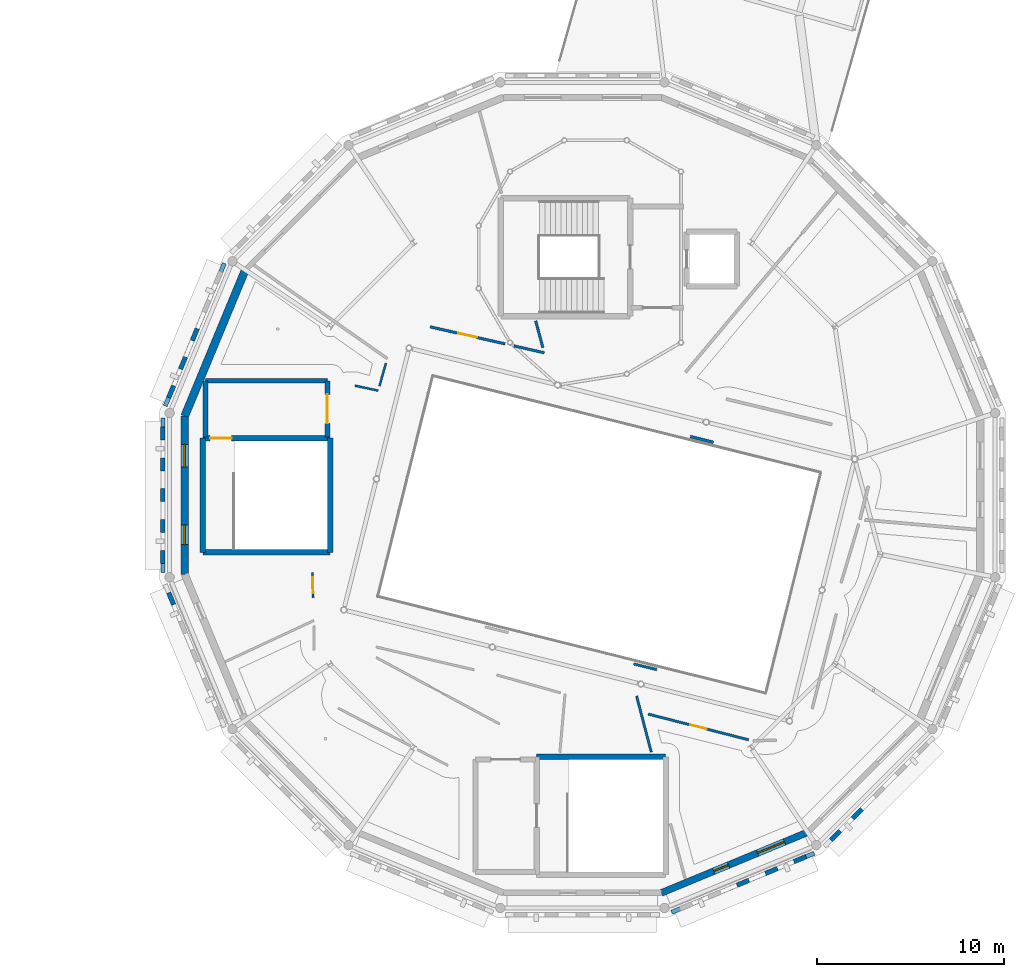
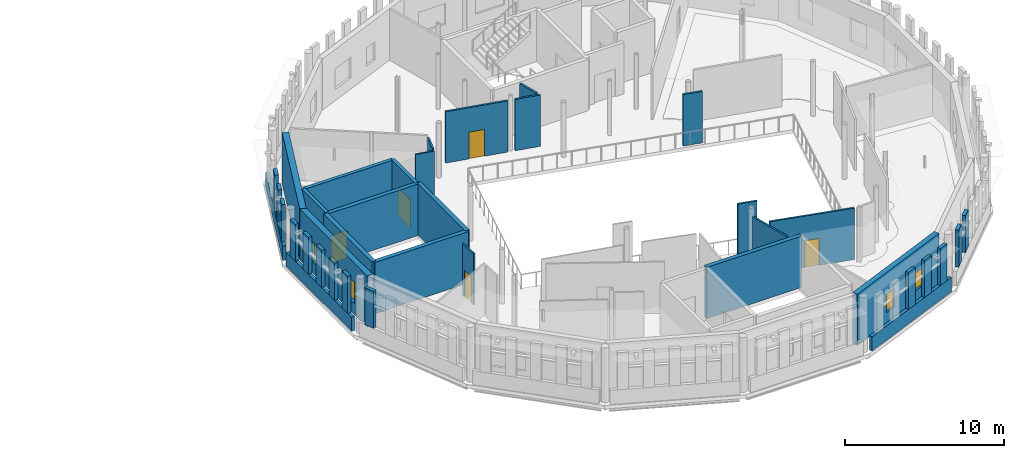
# One storey, part 46 of 68: 38 walls, 5 doors, 4 windows, 9 openings.
"""IFC4 building model written with IfcOpenShell, lengths in metres."""

from ifc_helpers import new_model, si_unit, direction, frame, frame_2d, origin, place, context, subcontext, project, spatial, rectangle, extrude, material, layer, layer_set, type_object, element, fill, save


model = new_model("IFC4")

# Units and contexts
model_context = context("Model", 3, precision=1e-05, world=origin(), true_north=direction((0.0, 1.0)))
body_context = subcontext(model_context, "Body", "Model", "MODEL_VIEW")
ifc_project = project(units=[si_unit("LENGTHUNIT", "METRE"), si_unit("AREAUNIT", "SQUARE_METRE"), si_unit("VOLUMEUNIT", "CUBIC_METRE"), si_unit("PLANEANGLEUNIT", "RADIAN"), si_unit("MASSUNIT", "GRAM", prefix="KILO")], contexts=[model_context])

# Site, building, storey
site_placement = place(None, origin())
site = spatial("IfcSite", under=ifc_project, at=site_placement, CompositionType="ELEMENT")
building_placement = place(site_placement, origin())
building = spatial("IfcBuilding", under=site, at=building_placement, Name="Wrenclough Park School", CompositionType="ELEMENT")
storey_placement = place(building_placement, frame((0.0, 0.0, 12.60009765625)))
storey = spatial("IfcBuildingStorey", under=building, at=storey_placement, Name="L03", CompositionType="ELEMENT", Elevation=12.60009765625)

# Walls
ifc_material_1 = material(Name="Perforated open-bond Staffordshire and Manchester brick screen pier", Category="masonry")
ifc_layer_1 = layer(ifc_material_1, 0.2451171875)
ifc_layer_set_1 = layer_set([ifc_layer_1], Name="Perforated open-bond Staffordshire and Manchester brick screen pier")
wall_type_1 = type_object("IfcWallType", Name="ENV-BS-PR245", PredefinedType="ELEMENTEDWALL", material=ifc_layer_set_1)
wall_1_placement = place(storey_placement, frame((134.95751953125, 35.383056640625, 1.08984375), z_axis=(0.0, 0.0, 1.0), x_axis=(-0.38263262807, -0.923900574703, 0.0)))
element("IfcWall", 1, at=wall_1_placement, inside=storey, type_object=wall_type_1, Name="D1 L03 perforated brick screen pier 0655", PredefinedType="ELEMENTEDWALL", context=body_context, shape_type="SweptSolid", body=[
    extrude(rectangle(XDim=0.69091796875, YDim=0.2451171875, at=frame_2d((0.345458984375, 0.0))), origin(), (0.0, 0.0, 1.0), 2.85009765625),
])
wall_2_placement = place(storey_placement, frame((134.32763671875, 33.8623046875, 1.08984375), z_axis=(0.0, 0.0, 1.0), x_axis=(-0.382757564877, -0.923848822335, 0.0)))
element("IfcWall", 2, at=wall_2_placement, inside=storey, type_object=wall_type_1, Name="D1 L03 perforated brick screen pier 0656", PredefinedType="ELEMENTEDWALL", context=body_context, shape_type="SweptSolid", body=[
    extrude(rectangle(XDim=0.690673828125, YDim=0.2451171875, at=frame_2d((0.34521484375, 0.0))), origin(), (0.0, 0.0, 1.0), 2.85009765625),
])
wall_3_placement = place(storey_placement, frame((133.697998046875, 32.341796875, 1.08984375), z_axis=(0.0, 0.0, 1.0), x_axis=(-0.382934147939, -0.92377564286, 0.0)))
element("IfcWall", 3, at=wall_3_placement, inside=storey, type_object=wall_type_1, Name="D1 L03 perforated brick screen pier 0657", PredefinedType="ELEMENTEDWALL", context=body_context, shape_type="SweptSolid", body=[
    extrude(rectangle(XDim=0.691162109375, YDim=0.2451171875, at=frame_2d((0.345703125, 0.0))), origin(), (0.0, 0.0, 1.0), 2.85009765625),
])
for number, where, z_axis, x_axis, name in (
    (4, (133.121826171875, 30.137451171875, 1.08984375), (0.0, 0.0, 1.0), (0.0, -1.0, 0.0), "D1 L03 perforated brick screen pier 0658"),
    (5, (133.121826171875, 28.491455078125, 1.08984375), (0.0, 0.0, 1.0), (0.0, -1.0, 0.0), "D1 L03 perforated brick screen pier 0659"),
    (6, (133.121826171875, 26.845458984375, 1.08984375), (0.0, 0.0, 1.0), (0.0, -1.0, 0.0), "D1 L03 perforated brick screen pier 0660"),
    (7, (133.121826171875, 25.199462890625, 1.08984375), (0.0, 0.0, 1.0), (0.0, -1.0, 0.0), "D1 L03 perforated brick screen pier 0661"),
    (8, (133.121826171875, 23.553466796875, 1.08984375), (0.0, 0.0, 1.0), (0.0, -1.0, 0.0), "D1 L03 perforated brick screen pier 0662"),
):
    element("IfcWall", number, at=place(storey_placement, frame(where, z_axis=z_axis, x_axis=x_axis)), inside=storey, type_object=wall_type_1, Name=name, PredefinedType="ELEMENTEDWALL", context=body_context, shape_type="SweptSolid", body=[
        extrude(rectangle(XDim=0.69091796875, YDim=0.2451171875, at=frame_2d((0.345458984375, 0.0))), origin(), (0.0, 0.0, 1.0), 2.85009765625),
    ])
wall_4_placement = place(storey_placement, frame((133.433349609375, 21.296630859375, 1.08984375), z_axis=(0.0, 0.0, 1.0), x_axis=(0.382934147939, -0.92377564286, 0.0)))
element("IfcWall", 9, at=wall_4_placement, inside=storey, type_object=wall_type_1, Name="D1 L03 perforated brick screen pier 0663", PredefinedType="ELEMENTEDWALL", context=body_context, shape_type="SweptSolid", body=[
    extrude(rectangle(XDim=0.691162109375, YDim=0.2451171875, at=frame_2d((0.345703125, 0.0))), origin(), (0.0, 0.0, 1.0), 2.85009765625),
])
for number, where, z_axis, x_axis, name in (
    (10, (163.74462890625, 5.693115234375, 1.08984375), (0.0, 0.0, 1.0), (0.923900574703, 0.38263262807, 0.0), "D1 L03 perforated brick screen pier 0685"),
    (11, (165.265380859375, 6.322998046875, 1.08984375), (0.0, 0.0, 1.0), (0.923900574703, 0.38263262807, 0.0), "D1 L03 perforated brick screen pier 0686"),
    (12, (166.785888671875, 6.952880859375, 1.08984375), (0.0, 0.0, 1.0), (0.923900574703, 0.38263262807, 0.0), "D1 L03 perforated brick screen pier 0687"),
):
    element("IfcWall", number, at=place(storey_placement, frame(where, z_axis=z_axis, x_axis=x_axis)), inside=storey, type_object=wall_type_1, Name=name, PredefinedType="ELEMENTEDWALL", context=body_context, shape_type="SweptSolid", body=[
        extrude(rectangle(XDim=0.69091796875, YDim=0.2451171875, at=frame_2d((0.345458984375, 0.0))), origin(), (0.0, 0.0, 1.0), 2.85009765625),
    ])
wall_5_placement = place(storey_placement, frame((168.751708984375, 8.104248046875, 1.08984375), z_axis=(0.0, 0.0, 1.0), x_axis=(0.706930114916, 0.707283403329, 0.0)))
element("IfcWall", 13, at=wall_5_placement, inside=storey, type_object=wall_type_1, Name="D1 L03 perforated brick screen pier 0688", PredefinedType="ELEMENTEDWALL", context=body_context, shape_type="SweptSolid", body=[
    extrude(rectangle(XDim=0.691162109375, YDim=0.2451171875, at=frame_2d((0.345703125, 0.0))), origin(), (0.0, 0.0, 1.0), 2.85009765625),
])
wall_6_placement = place(storey_placement, frame((169.91552734375, 9.268310546875, 1.08984375), z_axis=(0.0, 0.0, 1.0), x_axis=(0.707106781187, 0.707106781187, 0.0)))
element("IfcWall", 14, at=wall_6_placement, inside=storey, type_object=wall_type_1, Name="D1 L03 perforated brick screen pier 0689", PredefinedType="ELEMENTEDWALL", context=body_context, shape_type="SweptSolid", body=[
    extrude(rectangle(XDim=0.69091796875, YDim=0.2451171875, at=frame_2d((0.345458984375, 0.0))), origin(), (0.0, 0.0, 1.0), 2.85009765625),
])
ifc_material_2 = material(Name="Open-bond Manchester multi-stock brick spandrel screen", Category="masonry")
ifc_layer_2 = layer(ifc_material_2, 0.22509765625)
ifc_layer_set_2 = layer_set([ifc_layer_2], Name="Open-bond Manchester multi-stock brick spandrel screen")
wall_type_2 = type_object("IfcWallType", Name="ENV-BS-SP225", PredefinedType="ELEMENTEDWALL", material=ifc_layer_set_2)
wall_7_placement = place(storey_placement, frame((136.400146484375, 38.865478515625, 0.0), z_axis=(0.0, 0.0, 1.0), x_axis=(-0.382687155267, -0.923877990426, 0.0)))
element("IfcWall", 15, at=wall_7_placement, inside=storey, type_object=wall_type_2, Name="D1 L03 open-bond brick screen spandrel 0179", PredefinedType="ELEMENTEDWALL", context=body_context, shape_type="SweptSolid", body=[
    extrude(rectangle(XDim=8.229736328125, YDim=0.22509765625, at=frame_2d((4.11474609375, 0.0))), origin(), (0.0, 0.0, 1.0), 1.08984375),
])
wall_8_placement = place(storey_placement, frame((133.121826171875, 30.614990234375, 0.0), z_axis=(0.0, 0.0, 1.0), x_axis=(0.0, -1.0, 0.0)))
element("IfcWall", 16, at=wall_8_placement, inside=storey, type_object=wall_type_2, Name="D1 L03 open-bond brick screen spandrel 0180", PredefinedType="ELEMENTEDWALL", context=body_context, shape_type="SweptSolid", body=[
    extrude(rectangle(XDim=8.22998046875, YDim=0.22509765625, at=frame_2d((4.114990234375, 0.0))), origin(), (0.0, 0.0, 1.0), 1.08984375),
])
wall_9_placement = place(storey_placement, frame((160.26220703125, 4.250732421875, 0.0), z_axis=(0.0, 0.0, 1.0), x_axis=(0.923877990426, 0.382687155267, 0.0)))
element("IfcWall", 17, at=wall_9_placement, inside=storey, type_object=wall_type_2, Name="D1 L03 open-bond brick screen spandrel 0185", PredefinedType="ELEMENTEDWALL", context=body_context, shape_type="SweptSolid", body=[
    extrude(rectangle(XDim=8.229736328125, YDim=0.22509765625, at=frame_2d((4.11474609375, 0.0))), origin(), (0.0, 0.0, 1.0), 1.08984375),
])

# Wall, openings, windows
ifc_material_3 = material(Name="Faceted courtyard brick-cavity wall Concrete C35/45", Category="masonry")
ifc_layer_3 = layer(ifc_material_3, 0.364990234375)
ifc_layer_set_3 = layer_set([ifc_layer_3], Name="Faceted courtyard brick-cavity wall Concrete C35/45")
wall_type_3 = type_object("IfcWallType", Name="ENV-EW-365", PredefinedType="SOLIDWALL", material=ifc_layer_set_3)
wall_10_placement = place(storey_placement, frame((167.515625, 8.51708984375, 0.0), z_axis=(0.0, 0.0, 1.0), x_axis=(-0.923884604839, -0.382671186453, 0.0)))
wall_10 = element("IfcWall", 18, at=wall_10_placement, inside=storey, type_object=wall_type_3, Name="L03 insulated brick external wall 0303", PredefinedType="SOLIDWALL", context=body_context, shape_type="SweptSolid", body=[
    extrude(rectangle(XDim=8.438720703125, YDim=0.364990234375, at=frame_2d((4.21923828125, 0.0))), origin(), (0.0, 0.0, 1.0), 3.93994140625),
])
opening_1_placement = place(wall_10_placement, frame((1.334716796875, 0.0, 0.85009765625)))
opening_1 = element("IfcOpeningElement", 19, at=opening_1_placement, cuts=wall_10, Name="Opening WN-06", PredefinedType="OPENING", context=body_context, shape_type="SweptSolid", body=[
    extrude(rectangle(XDim=1.550048828125, YDim=1.39990234375, at=frame_2d((0.77490234375, 0.699951171875))), frame((0.0, 0.1923828125, 0.0), z_axis=(0.0, -1.0, 0.0), x_axis=(1.0, 0.0, 0.0)), (0.0, 0.0, 1.0), 0.385009765625),
])
opening_2_placement = place(wall_10_placement, frame((4.5693359375, 0.0, 0.85009765625)))
opening_2 = element("IfcOpeningElement", 20, at=opening_2_placement, cuts=wall_10, Name="Opening WN-01", PredefinedType="OPENING", context=body_context, shape_type="SweptSolid", body=[
    extrude(rectangle(XDim=0.85009765625, YDim=1.39990234375, at=frame_2d((0.425048828125, 0.699951171875))), frame((0.0, 0.1923828125, 0.0), z_axis=(0.0, -1.0, 0.0), x_axis=(1.0, 0.0, 0.0)), (0.0, 0.0, 1.0), 0.385009765625),
])
ifc_material_4 = material(Name="Thermally broken aluminium and double-glazed low-e glass", Category="aluminium")
window_type_1 = type_object("IfcWindowType", Name="ENV-WN-01", PartitioningType="SINGLE_PANEL", PredefinedType="WINDOW", material=ifc_material_4)
window_1_placement = place(opening_2_placement, origin())
window_1 = element("IfcWindow", 21, at=window_1_placement, inside=storey, type_object=window_type_1, Name="L03 scheduled facade window 0510", OverallHeight=1.39990234375, OverallWidth=0.85009765625, PartitioningType="SINGLE_PANEL", PredefinedType="WINDOW", context=body_context, shape_type="SweptSolid", body=[
    extrude(rectangle(XDim=0.85009765625, YDim=1.39990234375, at=frame_2d((0.425048828125, 0.699951171875))), frame((0.0, 0.030029296875, 0.0), z_axis=(0.0, -1.0, 0.0), x_axis=(1.0, 0.0, 0.0)), (0.0, 0.0, 1.0), 0.06005859375),
])
fill(opening_2, window_1)
window_type_2 = type_object("IfcWindowType", Name="ENV-WN-06", PartitioningType="DOUBLE_PANEL_VERTICAL", PredefinedType="WINDOW", material=ifc_material_4)
window_2_placement = place(opening_1_placement, origin())
window_2 = element("IfcWindow", 22, at=window_2_placement, inside=storey, type_object=window_type_2, Name="L03 scheduled facade window 0509", OverallHeight=1.39990234375, OverallWidth=1.550048828125, PartitioningType="SINGLE_PANEL", PredefinedType="WINDOW", context=body_context, shape_type="SweptSolid", body=[
    extrude(rectangle(XDim=1.550048828125, YDim=1.39990234375, at=frame_2d((0.77490234375, 0.699951171875))), frame((0.0, 0.030029296875, 0.0), z_axis=(0.0, -1.0, 0.0), x_axis=(1.0, 0.0, 0.0)), (0.0, 0.0, 1.0), 0.06005859375),
])
fill(opening_1, window_2)

ifc_material_5 = material(Name="Staffordshire blue-grey brick and Concrete C40/50 acoustic leaf", Category="masonry")
ifc_layer_4 = layer(ifc_material_5, 0.39990234375)
ifc_layer_set_4 = layer_set([ifc_layer_4], Name="Staffordshire blue-grey brick and Concrete C40/50 acoustic leaf")
wall_type_4 = type_object("IfcWallType", Name="ENV-EW-400", PredefinedType="SOLIDWALL", material=ifc_layer_set_4)
wall_11_placement = place(storey_placement, frame((134.287841796875, 22.28076171875, 0.0), z_axis=(0.0, 0.0, 1.0), x_axis=(0.0, 1.0, 0.0)))
wall_11 = element("IfcWall", 23, at=wall_11_placement, inside=storey, type_object=wall_type_4, Name="L03 insulated brick external wall 0308", PredefinedType="SOLIDWALL", context=body_context, shape_type="SweptSolid", body=[
    extrude(rectangle(XDim=8.4384765625, YDim=0.39990234375, at=frame_2d((4.21923828125, 0.0))), origin(), (0.0, 0.0, 1.0), 3.93994140625),
])
opening_3_placement = place(wall_11_placement, frame((1.584716796875, 0.0, 0.85009765625)))
opening_3 = element("IfcOpeningElement", 24, at=opening_3_placement, cuts=wall_11, Name="Opening WN-14", PredefinedType="OPENING", context=body_context, shape_type="SweptSolid", body=[
    extrude(rectangle(XDim=1.050048828125, YDim=1.60009765625, at=frame_2d((0.52490234375, 0.800048828125))), frame((0.0, 0.2099609375, 0.0), z_axis=(0.0, -1.0, 0.0), x_axis=(1.0, 0.0, 0.0)), (0.0, 0.0, 1.0), 0.419921875),
])
opening_4_placement = place(wall_11_placement, frame((5.72900390625, 0.0, 0.85009765625)))
opening_4 = element("IfcOpeningElement", 25, at=opening_4_placement, cuts=wall_11, Name="Opening WN-15", PredefinedType="OPENING", context=body_context, shape_type="SweptSolid", body=[
    extrude(rectangle(XDim=1.199951171875, YDim=1.60009765625, at=frame_2d((0.60009765625, 0.800048828125))), frame((0.0, 0.2099609375, 0.0), z_axis=(0.0, -1.0, 0.0), x_axis=(1.0, 0.0, 0.0)), (0.0, 0.0, 1.0), 0.419921875),
])
window_type_3 = type_object("IfcWindowType", Name="ENV-WN-14", PartitioningType="SINGLE_PANEL", PredefinedType="WINDOW", material=ifc_material_4)
window_3_placement = place(opening_3_placement, origin())
window_3 = element("IfcWindow", 26, at=window_3_placement, inside=storey, type_object=window_type_3, Name="L03 scheduled facade window 0517", OverallHeight=1.60009765625, OverallWidth=1.050048828125, PartitioningType="SINGLE_PANEL", PredefinedType="WINDOW", context=body_context, shape_type="SweptSolid", body=[
    extrude(rectangle(XDim=1.050048828125, YDim=1.60009765625, at=frame_2d((0.52490234375, 0.800048828125))), frame((0.0, 0.030029296875, 0.0), z_axis=(0.0, -1.0, 0.0), x_axis=(1.0, 0.0, 0.0)), (0.0, 0.0, 1.0), 0.06005859375),
])
fill(opening_3, window_3)
window_type_4 = type_object("IfcWindowType", Name="ENV-WN-15", PartitioningType="SINGLE_PANEL", PredefinedType="WINDOW", material=ifc_material_4)
window_4_placement = place(opening_4_placement, origin())
window_4 = element("IfcWindow", 27, at=window_4_placement, inside=storey, type_object=window_type_4, Name="L03 scheduled facade window 0518", OverallHeight=1.60009765625, OverallWidth=1.199951171875, PartitioningType="SINGLE_PANEL", PredefinedType="WINDOW", context=body_context, shape_type="SweptSolid", body=[
    extrude(rectangle(XDim=1.199951171875, YDim=1.60009765625, at=frame_2d((0.60009765625, 0.800048828125))), frame((0.0, 0.030029296875, 0.0), z_axis=(0.0, -1.0, 0.0), x_axis=(1.0, 0.0, 0.0)), (0.0, 0.0, 1.0), 0.06005859375),
])
fill(opening_4, window_4)

# Wall
ifc_material_6 = material(Name="Insulated brick-clad sports hall wall Concrete C40/50", Category="masonry")
ifc_layer_5 = layer(ifc_material_6, 0.425048828125)
ifc_layer_set_5 = layer_set([ifc_layer_5], Name="Insulated brick-clad sports hall wall Concrete C40/50")
wall_type_5 = type_object("IfcWallType", Name="ENV-EW-425", PredefinedType="SOLIDWALL", material=ifc_layer_set_5)
wall_12_placement = place(storey_placement, frame((134.287841796875, 30.71923828125, 0.0), z_axis=(0.0, 0.0, 1.0), x_axis=(0.382671186453, 0.923884604839, 0.0)))
element("IfcWall", 28, at=wall_12_placement, inside=storey, type_object=wall_type_5, Name="L03 insulated brick external wall 0309", PredefinedType="SOLIDWALL", context=body_context, shape_type="SweptSolid", body=[
    extrude(rectangle(XDim=8.438720703125, YDim=0.425048828125, at=frame_2d((4.21923828125, 0.0))), origin(), (0.0, 0.0, 1.0), 3.93994140625),
])

# Wall, opening, door
ifc_material_7 = material(Name="Concrete C35/45", Category="concrete")
ifc_layer_6 = layer(ifc_material_7, 0.25)
ifc_layer_set_6 = layer_set([ifc_layer_6], Name="Concrete C35/45")
wall_type_6 = type_object("IfcWallType", Name="INT-CW-250", PredefinedType="SHEAR", material=ifc_layer_set_6)
wall_13_placement = place(storey_placement, frame((141.89990234375, 29.60009765625, 0.0), z_axis=(0.0, 0.0, 1.0), x_axis=(0.0, 1.0, 0.0)))
wall_13 = element("IfcWall", 29, at=wall_13_placement, inside=storey, type_object=wall_type_6, Name="Core C1C L03 lobby fire wall east", PredefinedType="SHEAR", context=body_context, shape_type="SweptSolid", body=[
    extrude(rectangle(XDim=3.0, YDim=0.25, at=frame_2d((1.5, 0.0))), origin(), (0.0, 0.0, 1.0), 3.949951171875),
])
opening_5_placement = place(wall_13_placement, frame((0.72509765625, 0.0, 0.0)))
opening_5 = element("IfcOpeningElement", 30, at=opening_5_placement, cuts=wall_13, Name="Opening DLB-C1C-L03", PredefinedType="OPENING", context=body_context, shape_type="SweptSolid", body=[
    extrude(rectangle(XDim=1.550048828125, YDim=2.14990234375, at=frame_2d((0.77490234375, 1.074951171875))), frame((0.0, 0.135009765625, 0.0), z_axis=(0.0, -1.0, 0.0), x_axis=(1.0, 0.0, 0.0)), (0.0, 0.0, 1.0), 0.27001953125),
])
ifc_material_8 = material(Name="Protected stair lobby double fire door assembly", Category="wood")
door_type_1 = type_object("IfcDoorType", Name="INT-DR-LB155", OperationType="NOTDEFINED", PredefinedType="DOOR", material=ifc_material_8)
door_1_placement = place(opening_5_placement, origin())
door_1 = element("IfcDoor", 31, at=door_1_placement, inside=storey, type_object=door_type_1, Name="Core C1C L03 protected lobby fire door", OperationType="DOUBLE_DOOR_SINGLE_SWING", OverallHeight=2.14990234375, OverallWidth=1.550048828125, PredefinedType="DOOR", context=body_context, shape_type="SweptSolid", body=[
    extrude(rectangle(XDim=1.550048828125, YDim=2.14990234375, at=frame_2d((0.77490234375, 1.074951171875))), frame((0.0, 0.02490234375, 0.0), z_axis=(0.0, -1.0, 0.0), x_axis=(1.0, 0.0, 0.0)), (0.0, 0.0, 1.0), 0.050048828125),
])
fill(opening_5, door_1)

# Walls
wall_14_placement = place(storey_placement, frame((141.89990234375, 32.60009765625, 0.0), z_axis=(0.0, 0.0, 1.0), x_axis=(-1.0, 0.0, 0.0)))
element("IfcWall", 32, at=wall_14_placement, inside=storey, type_object=wall_type_6, Name="Core C1C L03 lobby fire wall north", PredefinedType="SHEAR", context=body_context, shape_type="SweptSolid", body=[
    extrude(rectangle(XDim=6.5, YDim=0.25, at=frame_2d((3.25, 0.0))), origin(), (0.0, 0.0, 1.0), 3.949951171875),
])
wall_15_placement = place(storey_placement, frame((135.39990234375, 32.60009765625, 0.0), z_axis=(0.0, 0.0, 1.0), x_axis=(0.0, -1.0, 0.0)))
element("IfcWall", 33, at=wall_15_placement, inside=storey, type_object=wall_type_6, Name="Core C1C L03 lobby fire wall west", PredefinedType="SHEAR", context=body_context, shape_type="SweptSolid", body=[
    extrude(rectangle(XDim=3.0, YDim=0.25, at=frame_2d((1.5, 0.0))), origin(), (0.0, 0.0, 1.0), 3.949951171875),
])
ifc_material_9 = material(Name="Concrete C40/50", Category="concrete")
ifc_layer_7 = layer(ifc_material_9, 0.2900390625)
ifc_layer_set_7 = layer_set([ifc_layer_7], Name="Concrete C40/50")
wall_type_7 = type_object("IfcWallType", Name="INT-CW-290", PredefinedType="SHEAR", material=ifc_layer_set_7)
wall_16_placement = place(storey_placement, frame((159.945068359375, 12.544921875, 0.0), z_axis=(0.0, 0.0, 1.0), x_axis=(-1.0, 0.0, 0.0)))
element("IfcWall", 34, at=wall_16_placement, inside=storey, type_object=wall_type_7, Name="Core C1B L03 north shear wall", PredefinedType="SHEAR", context=body_context, shape_type="SweptSolid", body=[
    extrude(rectangle(XDim=6.89013671875, YDim=0.2900390625, at=frame_2d((3.445068359375, 0.0))), origin(), (0.0, 0.0, 1.0), 3.949951171875),
])
wall_17_placement = place(storey_placement, frame((135.2548828125, 23.455078125, 0.0), z_axis=(0.0, 0.0, 1.0), x_axis=(1.0, 0.0, 0.0)))
element("IfcWall", 35, at=wall_17_placement, inside=storey, type_object=wall_type_7, Name="Core C1C L03 south shear wall", PredefinedType="SHEAR", context=body_context, shape_type="SweptSolid", body=[
    extrude(rectangle(XDim=6.7900390625, YDim=0.2900390625, at=frame_2d((3.39501953125, 0.0))), origin(), (0.0, 0.0, 1.0), 3.949951171875),
])
wall_18_placement = place(storey_placement, frame((142.044921875, 23.455078125, 0.0), z_axis=(0.0, 0.0, 1.0), x_axis=(0.0, 1.0, 0.0)))
element("IfcWall", 36, at=wall_18_placement, inside=storey, type_object=wall_type_7, Name="Core C1C L03 east shear wall", PredefinedType="SHEAR", context=body_context, shape_type="SweptSolid", body=[
    extrude(rectangle(XDim=6.08984375, YDim=0.2900390625, at=frame_2d((3.044921875, 0.0))), origin(), (0.0, 0.0, 1.0), 3.949951171875),
])

# Wall, opening, door
wall_19_placement = place(storey_placement, frame((142.044921875, 29.544921875, 0.0), z_axis=(0.0, 0.0, 1.0), x_axis=(-1.0, 0.0, 0.0)))
wall_19 = element("IfcWall", 37, at=wall_19_placement, inside=storey, type_object=wall_type_7, Name="Core C1C L03 north shear wall", PredefinedType="SHEAR", context=body_context, shape_type="SweptSolid", body=[
    extrude(rectangle(XDim=6.7900390625, YDim=0.2900390625, at=frame_2d((3.39501953125, 0.0))), origin(), (0.0, 0.0, 1.0), 3.949951171875),
])
opening_6_placement = place(wall_19_placement, frame((5.25, 0.0, 0.0)))
opening_6 = element("IfcOpeningElement", 38, at=opening_6_placement, cuts=wall_19, Name="Opening DST-C1C-L03", PredefinedType="OPENING", context=body_context, shape_type="SweptSolid", body=[
    extrude(rectangle(XDim=1.14990234375, YDim=2.10009765625, at=frame_2d((0.574951171875, 1.050048828125))), frame((0.0, 0.155029296875, 0.0), z_axis=(0.0, -1.0, 0.0), x_axis=(1.0, 0.0, 0.0)), (0.0, 0.0, 1.0), 0.31005859375),
])
ifc_material_10 = material(Name="Protected escape stair single fire door assembly", Category="wood")
door_type_2 = type_object("IfcDoorType", Name="INT-DR-ST115", OperationType="NOTDEFINED", PredefinedType="DOOR", material=ifc_material_10)
door_2_placement = place(opening_6_placement, origin())
door_2 = element("IfcDoor", 39, at=door_2_placement, inside=storey, type_object=door_type_2, Name="Stair ST-12 L03 fire door", OperationType="SINGLE_SWING_RIGHT", OverallHeight=2.10009765625, OverallWidth=1.14990234375, PredefinedType="DOOR", context=body_context, shape_type="SweptSolid", body=[
    extrude(rectangle(XDim=1.14990234375, YDim=2.10009765625, at=frame_2d((0.574951171875, 1.050048828125))), frame((0.0, 0.02490234375, 0.0), z_axis=(0.0, -1.0, 0.0), x_axis=(1.0, 0.0, 0.0)), (0.0, 0.0, 1.0), 0.050048828125),
])
fill(opening_6, door_2)

# Wall
wall_20_placement = place(storey_placement, frame((135.2548828125, 29.544921875, 0.0), z_axis=(0.0, 0.0, 1.0), x_axis=(0.0, -1.0, 0.0)))
element("IfcWall", 40, at=wall_20_placement, inside=storey, type_object=wall_type_7, Name="Core C1C L03 west shear wall", PredefinedType="SHEAR", context=body_context, shape_type="SweptSolid", body=[
    extrude(rectangle(XDim=6.08984375, YDim=0.2900390625, at=frame_2d((3.044921875, 0.0))), origin(), (0.0, 0.0, 1.0), 3.949951171875),
])

# Wall, opening, door
ifc_material_11 = material(Name="Lightweight fire-rated store partition", Category="gypsum")
ifc_layer_8 = layer(ifc_material_11, 0.110107421875)
ifc_layer_set_8 = layer_set([ifc_layer_8], Name="Lightweight fire-rated store partition")
wall_type_8 = type_object("IfcWallType", Name="INT-PW-110", PredefinedType="PARTITIONING", material=ifc_layer_set_8)
wall_21_placement = place(storey_placement, frame((141.14306640625, 21.029296875, 0.0), z_axis=(0.0, 0.0, 1.0), x_axis=(-0.032094386476, 0.999484842485, 0.0)))
wall_21 = element("IfcWall", 41, at=wall_21_placement, inside=storey, type_object=wall_type_8, Name="L03 internal partition 0436", PredefinedType="PARTITIONING", context=body_context, shape_type="SweptSolid", body=[
    extrude(rectangle(XDim=1.3388671875, YDim=0.110107421875, at=frame_2d((0.66943359375, 0.0))), origin(), (0.0, 0.0, 1.0), 3.949951171875),
])
opening_7_placement = place(wall_21_placement, frame((0.24951171875, 0.0, 0.0)))
opening_7 = element("IfcOpeningElement", 42, at=opening_7_placement, cuts=wall_21, Name="Opening DR-L03-087", PredefinedType="OPENING", context=body_context, shape_type="SweptSolid", body=[
    extrude(rectangle(XDim=0.840087890625, YDim=2.0400390625, at=frame_2d((0.419921875, 1.02001953125))), frame((0.0, 0.06494140625, 0.0), z_axis=(0.0, -1.0, 0.0), x_axis=(1.0, 0.0, 0.0)), (0.0, 0.0, 1.0), 0.130126953125),
])
ifc_material_12 = material(Name="Prep and store room fire door assembly", Category="wood")
door_type_3 = type_object("IfcDoorType", Name="INT-DR-STR084", OperationType="NOTDEFINED", PredefinedType="DOOR", material=ifc_material_12)
door_3_placement = place(opening_7_placement, origin())
door_3 = element("IfcDoor", 43, at=door_3_placement, inside=storey, type_object=door_type_3, Name="Athletic Theory Classroom door DR-L03-087", OperationType="SINGLE_SWING_RIGHT", OverallHeight=2.0400390625, OverallWidth=0.840087890625, PredefinedType="DOOR", context=body_context, shape_type="SweptSolid", body=[
    extrude(rectangle(XDim=0.840087890625, YDim=2.0400390625, at=frame_2d((0.419921875, 1.02001953125))), frame((0.0, 0.02490234375, 0.0), z_axis=(0.0, -1.0, 0.0), x_axis=(1.0, 0.0, 0.0)), (0.0, 0.0, 1.0), 0.050048828125),
])
fill(opening_7, door_3)

# Walls
wall_22_placement = place(storey_placement, frame((143.370849609375, 32.340087890625, 0.0), z_axis=(0.0, 0.0, 1.0), x_axis=(0.977988631183, -0.208658182868, 0.0)))
element("IfcWall", 44, at=wall_22_placement, inside=storey, type_object=wall_type_8, Name="L03 internal partition 0437", PredefinedType="PARTITIONING", context=body_context, shape_type="SweptSolid", body=[
    extrude(rectangle(XDim=1.263671875, YDim=0.110107421875, at=frame_2d((0.6318359375, 0.0))), origin(), (0.0, 0.0, 1.0), 3.949951171875),
])
wall_23_placement = place(storey_placement, frame((144.6748046875, 32.316650390625, 0.0), z_axis=(0.0, 0.0, 1.0), x_axis=(0.271591717188, 0.962412561823, 0.0)))
element("IfcWall", 45, at=wall_23_placement, inside=storey, type_object=wall_type_8, Name="L03 internal partition 0438", PredefinedType="PARTITIONING", context=body_context, shape_type="SweptSolid", body=[
    extrude(rectangle(XDim=1.2783203125, YDim=0.110107421875, at=frame_2d((0.63916015625, 0.0))), origin(), (0.0, 0.0, 1.0), 3.949951171875),
])
ifc_material_13 = material(Name="Standard fire-rated room partition", Category="gypsum")
ifc_layer_9 = layer(ifc_material_13, 0.1298828125)
ifc_layer_set_9 = layer_set([ifc_layer_9], Name="Standard fire-rated room partition")
wall_type_9 = type_object("IfcWallType", Name="INT-PW-130", PredefinedType="PARTITIONING", material=ifc_layer_set_9)
wall_24_placement = place(storey_placement, frame((158.390380859375, 15.784912109375, 0.0), z_axis=(0.0, 0.0, 1.0), x_axis=(0.253318912182, -0.96738282429, 0.0)))
element("IfcWall", 46, at=wall_24_placement, inside=storey, type_object=wall_type_9, Name="L03 internal partition 0424", PredefinedType="PARTITIONING", context=body_context, shape_type="SweptSolid", body=[
    extrude(rectangle(XDim=3.0908203125, YDim=0.1298828125, at=frame_2d((1.54541015625, 0.0))), origin(), (0.0, 0.0, 1.0), 3.949951171875),
])

# Wall, opening, door
wall_25_placement = place(storey_placement, frame((164.36572265625, 13.450439453125, 0.0), z_axis=(0.0, 0.0, 1.0), x_axis=(-0.968696291163, 0.248248857979, 0.0)))
wall_25 = element("IfcWall", 47, at=wall_25_placement, inside=storey, type_object=wall_type_9, Name="L03 internal partition 0429", PredefinedType="PARTITIONING", context=body_context, shape_type="SweptSolid", body=[
    extrude(rectangle(XDim=5.526123046875, YDim=0.1298828125, at=frame_2d((2.76318359375, 0.0))), origin(), (0.0, 0.0, 1.0), 3.949951171875),
])
opening_8_placement = place(wall_25_placement, frame((2.31298828125, 0.0, 0.0)))
opening_8 = element("IfcOpeningElement", 48, at=opening_8_placement, cuts=wall_25, Name="Opening DR-L03-085", PredefinedType="OPENING", context=body_context, shape_type="SweptSolid", body=[
    extrude(rectangle(XDim=0.89990234375, YDim=2.050048828125, at=frame_2d((0.449951171875, 1.02490234375))), frame((0.0, 0.074951171875, 0.0), z_axis=(0.0, -1.0, 0.0), x_axis=(1.0, 0.0, 0.0)), (0.0, 0.0, 1.0), 0.14990234375),
])
ifc_material_14 = material(Name="Staff office fire-rated timber door assembly", Category="wood")
door_type_4 = type_object("IfcDoorType", Name="INT-DR-OFF090", OperationType="NOTDEFINED", PredefinedType="DOOR", material=ifc_material_14)
door_4_placement = place(opening_8_placement, origin())
door_4 = element("IfcDoor", 49, at=door_4_placement, inside=storey, type_object=door_type_4, Name="PE Department Staff Room door DR-L03-085", OperationType="SINGLE_SWING_RIGHT", OverallHeight=2.050048828125, OverallWidth=0.89990234375, PredefinedType="DOOR", context=body_context, shape_type="SweptSolid", body=[
    extrude(rectangle(XDim=0.89990234375, YDim=2.050048828125, at=frame_2d((0.449951171875, 1.02490234375))), frame((0.0, 0.02490234375, 0.0), z_axis=(0.0, -1.0, 0.0), x_axis=(1.0, 0.0, 0.0)), (0.0, 0.0, 1.0), 0.050048828125),
])
fill(opening_8, door_4)

# Walls
wall_26_placement = place(storey_placement, frame((159.465087890625, 17.194580078125, 0.0), z_axis=(0.0, 0.0, 1.0), x_axis=(-0.970323428915, 0.241810759269, 0.0)))
element("IfcWall", 50, at=wall_26_placement, inside=storey, type_object=wall_type_9, Name="L03 internal partition 0430", PredefinedType="PARTITIONING", context=body_context, shape_type="SweptSolid", body=[
    extrude(rectangle(XDim=1.26806640625, YDim=0.1298828125, at=frame_2d((0.634033203125, 0.0))), origin(), (0.0, 0.0, 1.0), 3.949951171875),
])
ifc_material_15 = material(Name="Protected corridor partition", Category="gypsum")
ifc_layer_10 = layer(ifc_material_15, 0.14990234375)
ifc_layer_set_10 = layer_set([ifc_layer_10], Name="Protected corridor partition")
wall_type_10 = type_object("IfcWallType", Name="INT-PW-150", PredefinedType="PARTITIONING", material=ifc_layer_set_10)
wall_27_placement = place(storey_placement, frame((161.259033203125, 29.6298828125, 0.0), z_axis=(0.0, 0.0, 1.0), x_axis=(0.970278241174, -0.241992013721, 0.0)))
element("IfcWall", 51, at=wall_27_placement, inside=storey, type_object=wall_type_10, Name="L03 internal partition 0422", PredefinedType="PARTITIONING", context=body_context, shape_type="SweptSolid", body=[
    extrude(rectangle(XDim=1.26806640625, YDim=0.14990234375, at=frame_2d((0.634033203125, 0.0))), origin(), (0.0, 0.0, 1.0), 3.949951171875),
])

# Wall, opening, door
ifc_material_16 = material(Name="Moisture-resistant sanitary service wall", Category="gypsum")
ifc_layer_11 = layer(ifc_material_16, 0.139892578125)
ifc_layer_set_11 = layer_set([ifc_layer_11], Name="Moisture-resistant sanitary service wall")
wall_type_11 = type_object("IfcWallType", Name="INT-SV-140", PredefinedType="PLUMBINGWALL", material=ifc_layer_set_11)
wall_28_placement = place(storey_placement, frame((147.382568359375, 35.47802734375, 0.0), z_axis=(0.0, 0.0, 1.0), x_axis=(0.97509006868, -0.221809282857, 0.0)))
wall_28 = element("IfcWall", 52, at=wall_28_placement, inside=storey, type_object=wall_type_11, Name="L03 internal partition 0431", PredefinedType="PLUMBINGWALL", context=body_context, shape_type="SweptSolid", body=[
    extrude(rectangle(XDim=4.093505859375, YDim=0.139892578125, at=frame_2d((2.046875, 0.0))), origin(), (0.0, 0.0, 1.0), 3.93994140625),
])
opening_9_placement = place(wall_28_placement, frame((1.53662109375, 0.0, 0.0)))
opening_9 = element("IfcOpeningElement", 53, at=opening_9_placement, cuts=wall_28, Name="Opening DR-L03-086", PredefinedType="OPENING", context=body_context, shape_type="SweptSolid", body=[
    extrude(rectangle(XDim=1.02001953125, YDim=2.06005859375, at=frame_2d((0.510009765625, 1.030029296875))), frame((0.0, 0.079833984375, 0.0), z_axis=(0.0, -1.0, 0.0), x_axis=(1.0, 0.0, 0.0)), (0.0, 0.0, 1.0), 0.159912109375),
])
ifc_material_17 = material(Name="Accessible WC outward-opening fire door assembly", Category="wood")
door_type_5 = type_object("IfcDoorType", Name="INT-DR-AWC102", OperationType="NOTDEFINED", PredefinedType="DOOR", material=ifc_material_17)
door_5_placement = place(opening_9_placement, frame((1.02001953125, 0.0, 0.0), z_axis=(0.0, 0.0, 1.0), x_axis=(-1.0, 0.0, 0.0)))
door_5 = element("IfcDoor", 54, at=door_5_placement, inside=storey, type_object=door_type_5, Name="Accessible WC D1 Third door DR-L03-086", OperationType="SINGLE_SWING_LEFT", OverallHeight=2.06005859375, OverallWidth=1.02001953125, PredefinedType="DOOR", context=body_context, shape_type="SweptSolid", body=[
    extrude(rectangle(XDim=1.02001953125, YDim=2.06005859375, at=frame_2d((0.510009765625, 1.030029296875))), frame((0.0, 0.02490234375, 0.0), z_axis=(0.0, -1.0, 0.0), x_axis=(1.0, 0.0, 0.0)), (0.0, 0.0, 1.0), 0.050048828125),
])
fill(opening_9, door_5)

# Walls
wall_29_placement = place(storey_placement, frame((151.847900390625, 34.46240234375, 0.0), z_axis=(0.0, 0.0, 1.0), x_axis=(0.975083667175, -0.221837422469, 0.0)))
element("IfcWall", 55, at=wall_29_placement, inside=storey, type_object=wall_type_11, Name="L03 internal partition 0432", PredefinedType="PLUMBINGWALL", context=body_context, shape_type="SweptSolid", body=[
    extrude(rectangle(XDim=1.658447265625, YDim=0.139892578125, at=frame_2d((0.8291015625, 0.0))), origin(), (0.0, 0.0, 1.0), 3.93994140625),
])
wall_30_placement = place(storey_placement, frame((153.391845703125, 34.367431640625, 0.0), z_axis=(0.0, 0.0, 1.0), x_axis=(-0.258768997543, 0.965939235103, 0.0)))
element("IfcWall", 56, at=wall_30_placement, inside=storey, type_object=wall_type_11, Name="L03 internal partition 0433", PredefinedType="PLUMBINGWALL", context=body_context, shape_type="SweptSolid", body=[
    extrude(rectangle(XDim=1.483154296875, YDim=0.139892578125, at=frame_2d((0.74169921875, 0.0))), origin(), (0.0, 0.0, 1.0), 3.93994140625),
])

save(model, "model.ifc")
